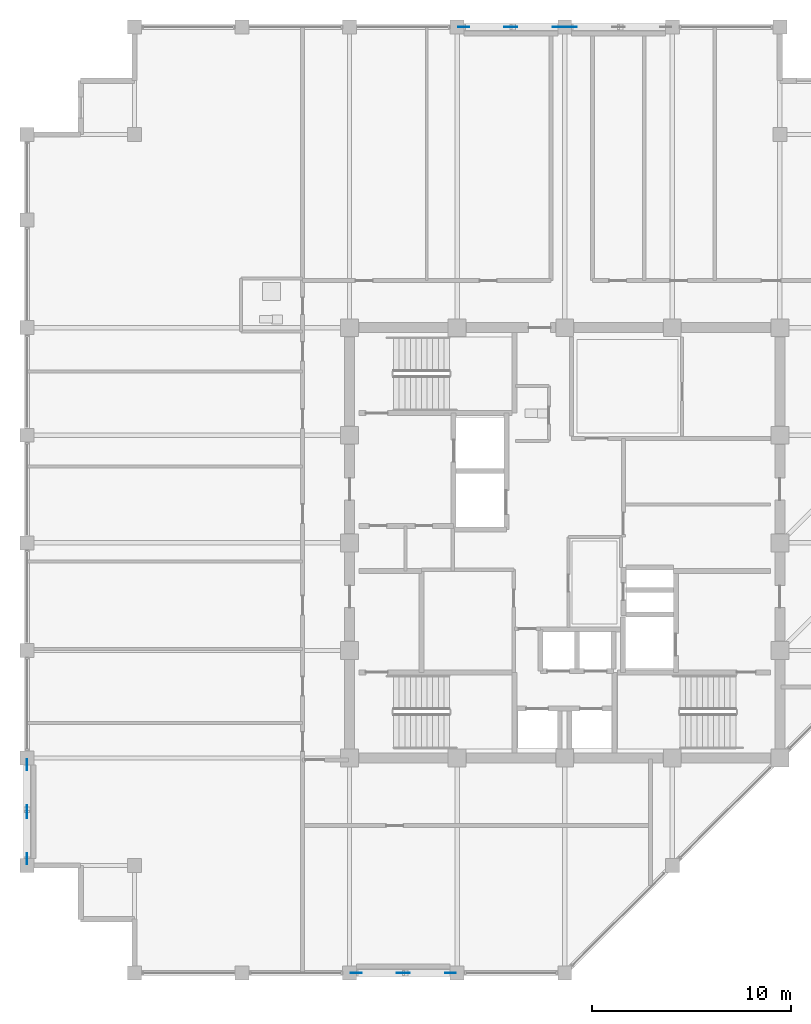
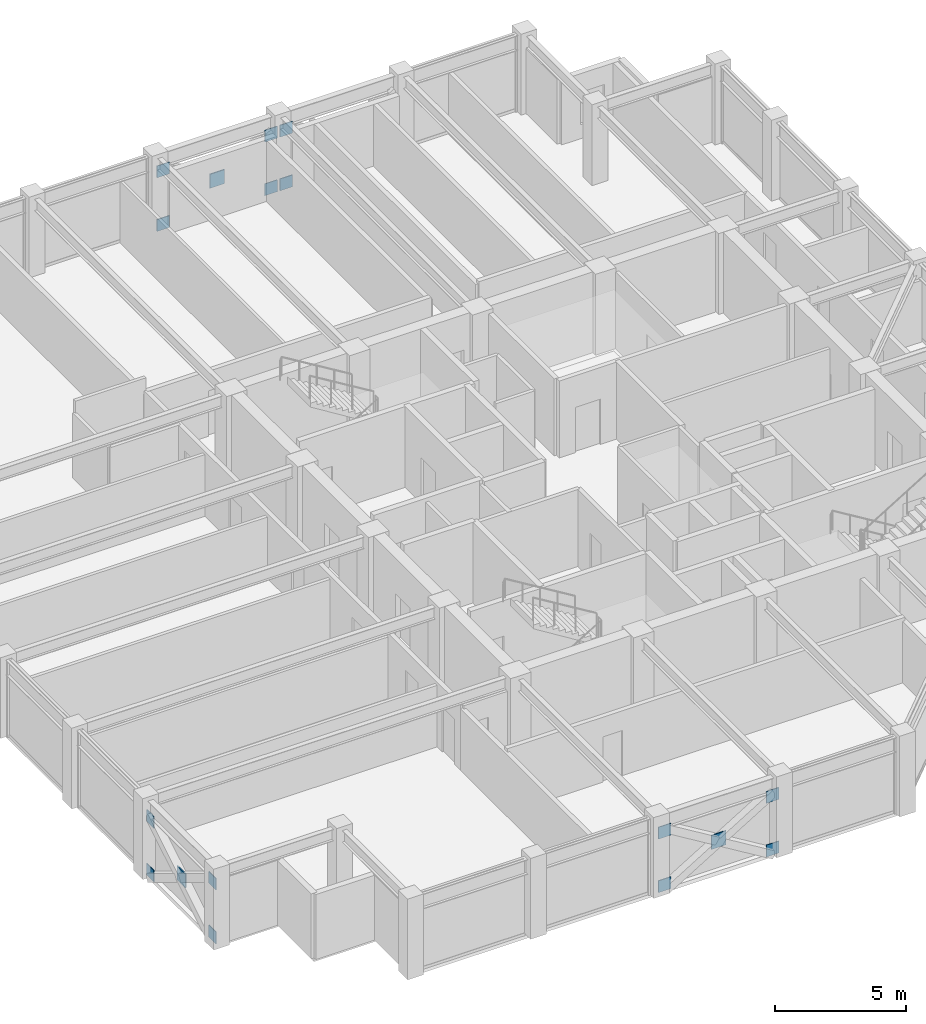
# One storey, part 24 of 31: 17 plates.
"""IFC4 building model written with IfcOpenShell, lengths in metres."""

from ifc_helpers import new_model, si_unit, direction, frame, origin, origin_2d, place, context, subcontext, project, spatial, rectangle, extrude, material, layer, layer_set, type_object, element, save


model = new_model("IFC4")

# Units and contexts
model_context = context("Model", 3, precision=1e-05, world=origin(), true_north=direction((0.0, 1.0)))
body_context = subcontext(model_context, "Body", "Model", "MODEL_VIEW")
ifc_project = project(units=[si_unit("LENGTHUNIT", "METRE"), si_unit("AREAUNIT", "SQUARE_METRE"), si_unit("VOLUMEUNIT", "CUBIC_METRE"), si_unit("PLANEANGLEUNIT", "RADIAN"), si_unit("MASSUNIT", "GRAM", prefix="KILO")], contexts=[model_context])

# Site, building, storey
site_placement = place(None, origin())
site = spatial("IfcSite", under=ifc_project, at=site_placement, CompositionType="ELEMENT")
building_placement = place(site_placement, origin())
building = spatial("IfcBuilding", under=site, at=building_placement, Name="Surkhivell Harbour Commons", CompositionType="ELEMENT")
storey_placement = place(building_placement, frame((0.0, 0.0, 330.0)))
storey = spatial("IfcBuildingStorey", under=building, at=storey_placement, Name="L86", CompositionType="ELEMENT", Elevation=330.0)

# Plates
ifc_material = material(Name="Steel S460", Category="steel")
ifc_layer_1 = layer(ifc_material, 0.035888671875)
ifc_layer_set_1 = layer_set([ifc_layer_1], Name="Steel S460")
plate_type_1 = type_object("IfcPlateType", Name="PLT-GUS-550", PredefinedType="USERDEFINED", material=ifc_layer_set_1)
for number, where, z_axis, x_axis, name in (
    (1, (-5.06494140625, 25.89990234375, -0.07470703125), (0.0, 0.0, 1.0), (1.0, 0.0, 0.0), "L86 Perimeter Mega-Brace MB- Corner Gusset N-1"),
    (2, (-0.3349609375, 25.89990234375, -0.07470703125), (0.0, 0.0, 1.0), (1.0, 0.0, 0.0), "L86 Perimeter Mega-Brace MB- Corner Gusset N-2"),
    (3, (-5.06494140625, 25.89990234375, 2.41357421875), (0.0, 0.0, 1.0), (1.0, 0.0, 0.0), "L86 Perimeter Mega-Brace MB- Corner Gusset N-3"),
    (4, (-0.3349609375, 25.89990234375, 2.41357421875), (0.0, 0.0, 1.0), (1.0, 0.0, 0.0), "L86 Perimeter Mega-Brace MB- Corner Gusset N-4"),
    (5, (0.3349609375, 25.89990234375, -0.07470703125), (0.0, 0.0, 1.0), (1.0, 0.0, 0.0), "L86 Perimeter Mega-Brace MB- Corner Gusset N2-1"),
    (6, (0.3349609375, 25.89990234375, 2.41357421875), (0.0, 0.0, 1.0), (1.0, 0.0, 0.0), "L86 Perimeter Mega-Brace MB- Corner Gusset N2-3"),
    (7, (-10.465087890625, -21.60009765625, -0.07470703125), (0.0, 0.0, 1.0), (1.0, 0.0, 0.0), "L86 Perimeter Mega-Brace MB- Corner Gusset S-1"),
    (8, (-5.735107421875, -21.60009765625, -0.07470703125), (0.0, 0.0, 1.0), (1.0, 0.0, 0.0), "L86 Perimeter Mega-Brace MB- Corner Gusset S-2"),
    (9, (-10.465087890625, -21.60009765625, 2.41357421875), (0.0, 0.0, 1.0), (1.0, 0.0, 0.0), "L86 Perimeter Mega-Brace MB- Corner Gusset S-3"),
    (10, (-5.735107421875, -21.60009765625, 2.41357421875), (0.0, 0.0, 1.0), (1.0, 0.0, 0.0), "L86 Perimeter Mega-Brace MB- Corner Gusset S-4"),
    (11, (-27.0, -15.864990234375, -0.07470703125), (0.0, 0.0, 1.0), (0.0, 1.0, 0.0), "L86 Perimeter Mega-Brace MB- Corner Gusset W-1"),
    (12, (-27.0, -11.135009765625, -0.07470703125), (0.0, 0.0, 1.0), (0.0, 1.0, 0.0), "L86 Perimeter Mega-Brace MB- Corner Gusset W-2"),
    (13, (-27.0, -15.864990234375, 2.41357421875), (0.0, 0.0, 1.0), (0.0, 1.0, 0.0), "L86 Perimeter Mega-Brace MB- Corner Gusset W-3"),
    (14, (-27.0, -11.135009765625, 2.41357421875), (0.0, 0.0, 1.0), (0.0, 1.0, 0.0), "L86 Perimeter Mega-Brace MB- Corner Gusset W-4"),
):
    element("IfcPlate", number, at=place(storey_placement, frame(where, z_axis=z_axis, x_axis=x_axis)), inside=storey, type_object=plate_type_1, Name=name, ObjectType="GUSSET_PLATE", PredefinedType="USERDEFINED", context=body_context, shape_type="SweptSolid", body=[
        extrude(rectangle(XDim=0.550048828125, YDim=0.035888671875, at=origin_2d()), origin(), (0.0, 0.0, 1.0), 0.550048828125),
    ])
ifc_layer_2 = layer(ifc_material, 0.044921875)
ifc_layer_set_2 = layer_set([ifc_layer_2], Name="Steel S460")
plate_type_2 = type_object("IfcPlateType", Name="PLT-GUS-650", PredefinedType="USERDEFINED", material=ifc_layer_set_2)
for number, where, z_axis, x_axis, name in (
    (15, (-2.699951171875, 25.89990234375, 1.11962890625), (0.0, 0.0, 1.0), (1.0, 0.0, 0.0), "L86 Perimeter Mega-Brace MB- Central Crossing Gusset N"),
    (16, (-8.10009765625, -21.60009765625, 1.11962890625), (0.0, 0.0, 1.0), (1.0, 0.0, 0.0), "L86 Perimeter Mega-Brace MB- Central Crossing Gusset S"),
    (17, (-27.0, -13.5, 1.11962890625), (0.0, 0.0, 1.0), (0.0, 1.0, 0.0), "L86 Perimeter Mega-Brace MB- Central Crossing Gusset W"),
):
    element("IfcPlate", number, at=place(storey_placement, frame(where, z_axis=z_axis, x_axis=x_axis)), inside=storey, type_object=plate_type_2, Name=name, ObjectType="GUSSET_PLATE", PredefinedType="USERDEFINED", context=body_context, shape_type="SweptSolid", body=[
        extrude(rectangle(XDim=0.64990234375, YDim=0.044921875, at=origin_2d()), origin(), (0.0, 0.0, 1.0), 0.64990234375),
    ])

save(model, "model.ifc")
